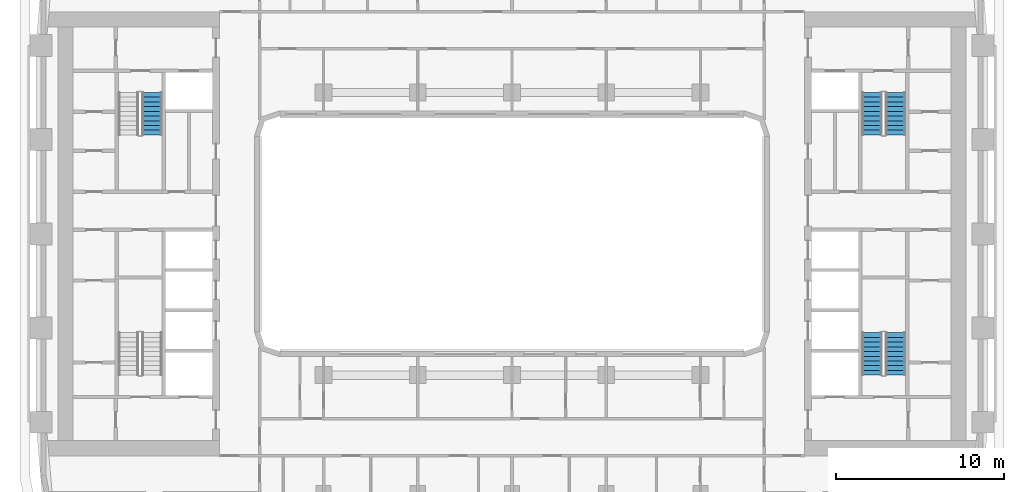
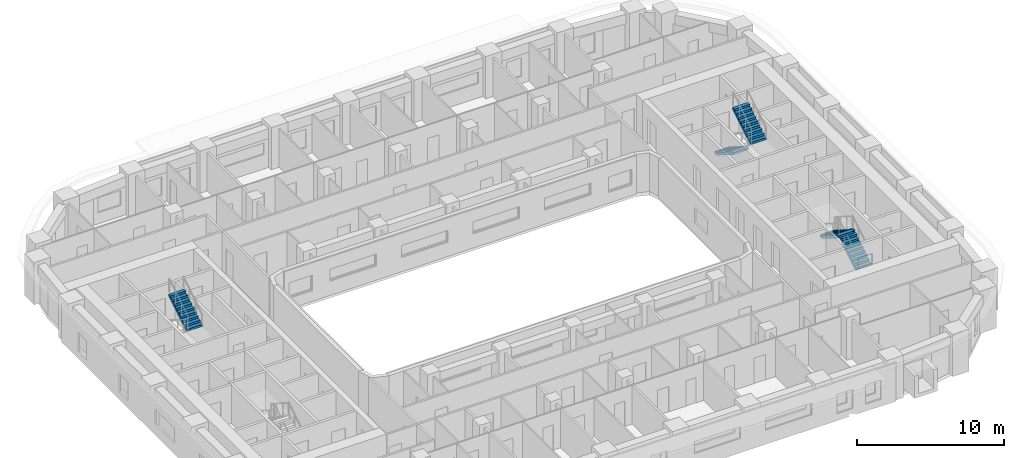
# One storey, part 11 of 23: 5 stair flights, 3 elements without a shape of their own.
"""IFC4 building model written with IfcOpenShell, lengths in metres."""

from ifc_helpers import new_model, si_unit, direction, frame, origin, place, context, subcontext, project, spatial, polyline, outline, extrude, material, type_object, element, aggregate, save


model = new_model("IFC4")

# Units and contexts
model_context = context("Model", 3, precision=1e-05, world=origin(), true_north=direction((0.0, 1.0)))
body_context = subcontext(model_context, "Body", "Model", "MODEL_VIEW")
ifc_project = project(units=[si_unit("LENGTHUNIT", "METRE"), si_unit("AREAUNIT", "SQUARE_METRE"), si_unit("VOLUMEUNIT", "CUBIC_METRE"), si_unit("PLANEANGLEUNIT", "RADIAN"), si_unit("MASSUNIT", "GRAM", prefix="KILO")], contexts=[model_context])

# Site, building, storey
site_placement = place(None, origin())
site = spatial("IfcSite", under=ifc_project, at=site_placement, CompositionType="ELEMENT")
building_placement = place(site_placement, origin())
building = spatial("IfcBuilding", under=site, at=building_placement, Name="Kiln Ring Residences", CompositionType="ELEMENT")
storey_placement = place(building_placement, frame((0.0, 0.0, 86.800048828125)))
storey = spatial("IfcBuildingStorey", under=building, at=storey_placement, Name="L21", CompositionType="ELEMENT", Elevation=86.800048828125)

# Stair, stair flight
ifc_material_1 = material(Name="Concrete C40/50", Category="concrete")
stair_type = type_object("IfcStairType", Name="CORE-STAIR", PredefinedType="HALF_TURN_STAIR", material=ifc_material_1)
placement = place(storey_placement, origin())
stair_1 = element("IfcStair", 1, at=placement, inside=storey, type_object=stair_type, Name="L21 stair W-STN", PredefinedType="HALF_TURN_STAIR")
ifc_material_2 = material(Name="Concrete C40/50", Category="concrete")
stair_flight_type = type_object("IfcStairFlightType", Name="CORE-STAIR-FLIGHT", PredefinedType="STRAIGHT", material=ifc_material_2)
stair_flight_1_placement = place(storey_placement, frame((-21.39990234375, 5.8798828125, 1.75), z_axis=(0.0, 0.0, 1.0), x_axis=(0.0, 1.0, 0.0)))
stair_flight_1 = element("IfcStairFlight", 2, at=stair_flight_1_placement, type_object=stair_flight_type, Name="W-STN flight 2", NumberOfRisers=10, NumberOfTreads=9, PredefinedType="STRAIGHT", RiserHeight=0.175, TreadLength=0.28, context=body_context, shape_type="SweptSolid", body=[
    extrude(outline(polyline([(0.0, 0.0), (0.0, 0.175048828125), (0.280029296875, 0.175048828125), (0.280029296875, 0.35009765625), (0.56005859375, 0.35009765625), (0.56005859375, 0.52490234375), (0.840087890625, 0.52490234375), (0.840087890625, 0.699951171875), (1.1201171875, 0.699951171875), (1.1201171875, 0.875), (1.39990234375, 0.875), (1.39990234375, 1.050048828125), (1.679931640625, 1.050048828125), (1.679931640625, 1.22509765625), (1.9599609375, 1.22509765625), (1.9599609375, 1.39990234375), (2.239990234375, 1.39990234375), (2.239990234375, 1.574951171875), (2.52001953125, 1.574951171875), (2.52001953125, 1.75), (2.52001953125, 1.398193359375), (0.28271484375, 0.0), (0.0, 0.0)])), frame((0.0, 0.60009765625, 0.0), z_axis=(0.0, -1.0, 0.0), x_axis=(1.0, 0.0, 0.0)), (0.0, 0.0, 1.0), 1.199951171875),
])
aggregate(stair_1, [stair_flight_1])

# Stair, stair flights
stair_2 = element("IfcStair", 3, at=placement, inside=storey, type_object=stair_type, Name="L21 stair E-STN", PredefinedType="HALF_TURN_STAIR")
stair_flight_2_placement = place(storey_placement, frame((21.39990234375, 8.39990234375, 0.0), z_axis=(0.0, 0.0, 1.0), x_axis=(0.0, -1.0, 0.0)))
stair_flight_2 = element("IfcStairFlight", 4, at=stair_flight_2_placement, type_object=stair_flight_type, Name="E-STN flight 1", NumberOfRisers=10, NumberOfTreads=9, PredefinedType="STRAIGHT", RiserHeight=0.175, TreadLength=0.28, context=body_context, shape_type="SweptSolid", body=[
    extrude(outline(polyline([(0.0, 0.0), (0.0, 0.175048828125), (0.280029296875, 0.175048828125), (0.280029296875, 0.35009765625), (0.56005859375, 0.35009765625), (0.56005859375, 0.52490234375), (0.840087890625, 0.52490234375), (0.840087890625, 0.699951171875), (1.1201171875, 0.699951171875), (1.1201171875, 0.875), (1.39990234375, 0.875), (1.39990234375, 1.050048828125), (1.679931640625, 1.050048828125), (1.679931640625, 1.22509765625), (1.9599609375, 1.22509765625), (1.9599609375, 1.39990234375), (2.239990234375, 1.39990234375), (2.239990234375, 1.574951171875), (2.52001953125, 1.574951171875), (2.52001953125, 1.75), (2.52001953125, 1.398193359375), (0.28271484375, 0.0), (0.0, 0.0)])), frame((0.0, 0.60009765625, 0.0), z_axis=(0.0, -1.0, 0.0), x_axis=(1.0, 0.0, 0.0)), (0.0, 0.0, 1.0), 1.199951171875),
])
stair_flight_3_placement = place(storey_placement, frame((22.800048828125, 5.8798828125, 1.75), z_axis=(0.0, 0.0, 1.0), x_axis=(0.0, 1.0, 0.0)))
stair_flight_3 = element("IfcStairFlight", 5, at=stair_flight_3_placement, type_object=stair_flight_type, Name="E-STN flight 2", NumberOfRisers=10, NumberOfTreads=9, PredefinedType="STRAIGHT", RiserHeight=0.175, TreadLength=0.28, context=body_context, shape_type="SweptSolid", body=[
    extrude(outline(polyline([(0.0, 0.0), (0.0, 0.175048828125), (0.280029296875, 0.175048828125), (0.280029296875, 0.35009765625), (0.56005859375, 0.35009765625), (0.56005859375, 0.52490234375), (0.840087890625, 0.52490234375), (0.840087890625, 0.699951171875), (1.1201171875, 0.699951171875), (1.1201171875, 0.875), (1.39990234375, 0.875), (1.39990234375, 1.050048828125), (1.679931640625, 1.050048828125), (1.679931640625, 1.22509765625), (1.9599609375, 1.22509765625), (1.9599609375, 1.39990234375), (2.239990234375, 1.39990234375), (2.239990234375, 1.574951171875), (2.52001953125, 1.574951171875), (2.52001953125, 1.75), (2.52001953125, 1.398193359375), (0.28271484375, 0.0), (0.0, 0.0)])), frame((0.0, 0.60009765625, 0.0), z_axis=(0.0, -1.0, 0.0), x_axis=(1.0, 0.0, 0.0)), (0.0, 0.0, 1.0), 1.199951171875),
])
aggregate(stair_2, [stair_flight_2, stair_flight_3])

stair_3 = element("IfcStair", 6, at=placement, inside=storey, type_object=stair_type, Name="L21 stair E-STS", PredefinedType="HALF_TURN_STAIR")
stair_flight_4_placement = place(storey_placement, frame((22.800048828125, -8.39990234375, 0.0), z_axis=(0.0, 0.0, 1.0), x_axis=(0.0, 1.0, 0.0)))
stair_flight_4 = element("IfcStairFlight", 7, at=stair_flight_4_placement, type_object=stair_flight_type, Name="E-STS flight 1", NumberOfRisers=10, NumberOfTreads=9, PredefinedType="STRAIGHT", RiserHeight=0.175, TreadLength=0.28, context=body_context, shape_type="SweptSolid", body=[
    extrude(outline(polyline([(0.0, 0.0), (0.0, 0.175048828125), (0.280029296875, 0.175048828125), (0.280029296875, 0.35009765625), (0.56005859375, 0.35009765625), (0.56005859375, 0.52490234375), (0.840087890625, 0.52490234375), (0.840087890625, 0.699951171875), (1.1201171875, 0.699951171875), (1.1201171875, 0.875), (1.39990234375, 0.875), (1.39990234375, 1.050048828125), (1.679931640625, 1.050048828125), (1.679931640625, 1.22509765625), (1.9599609375, 1.22509765625), (1.9599609375, 1.39990234375), (2.239990234375, 1.39990234375), (2.239990234375, 1.574951171875), (2.52001953125, 1.574951171875), (2.52001953125, 1.75), (2.52001953125, 1.398193359375), (0.28271484375, 0.0), (0.0, 0.0)])), frame((0.0, 0.60009765625, 0.0), z_axis=(0.0, -1.0, 0.0), x_axis=(1.0, 0.0, 0.0)), (0.0, 0.0, 1.0), 1.199951171875),
])
stair_flight_5_placement = place(storey_placement, frame((21.39990234375, -5.8798828125, 1.75), z_axis=(0.0, 0.0, 1.0), x_axis=(0.0, -1.0, 0.0)))
stair_flight_5 = element("IfcStairFlight", 8, at=stair_flight_5_placement, type_object=stair_flight_type, Name="E-STS flight 2", NumberOfRisers=10, NumberOfTreads=9, PredefinedType="STRAIGHT", RiserHeight=0.175, TreadLength=0.28, context=body_context, shape_type="SweptSolid", body=[
    extrude(outline(polyline([(0.0, 0.0), (0.0, 0.175048828125), (0.280029296875, 0.175048828125), (0.280029296875, 0.35009765625), (0.56005859375, 0.35009765625), (0.56005859375, 0.52490234375), (0.840087890625, 0.52490234375), (0.840087890625, 0.699951171875), (1.1201171875, 0.699951171875), (1.1201171875, 0.875), (1.39990234375, 0.875), (1.39990234375, 1.050048828125), (1.679931640625, 1.050048828125), (1.679931640625, 1.22509765625), (1.9599609375, 1.22509765625), (1.9599609375, 1.39990234375), (2.239990234375, 1.39990234375), (2.239990234375, 1.574951171875), (2.52001953125, 1.574951171875), (2.52001953125, 1.75), (2.52001953125, 1.398193359375), (0.28271484375, 0.0), (0.0, 0.0)])), frame((0.0, 0.60009765625, 0.0), z_axis=(0.0, -1.0, 0.0), x_axis=(1.0, 0.0, 0.0)), (0.0, 0.0, 1.0), 1.199951171875),
])
aggregate(stair_3, [stair_flight_4, stair_flight_5])

save(model, "model.ifc")
